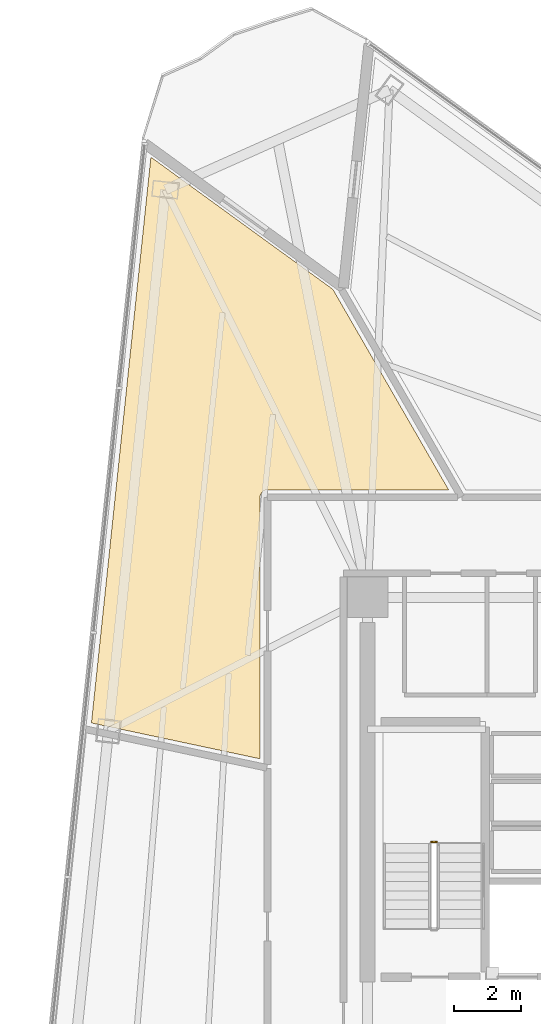
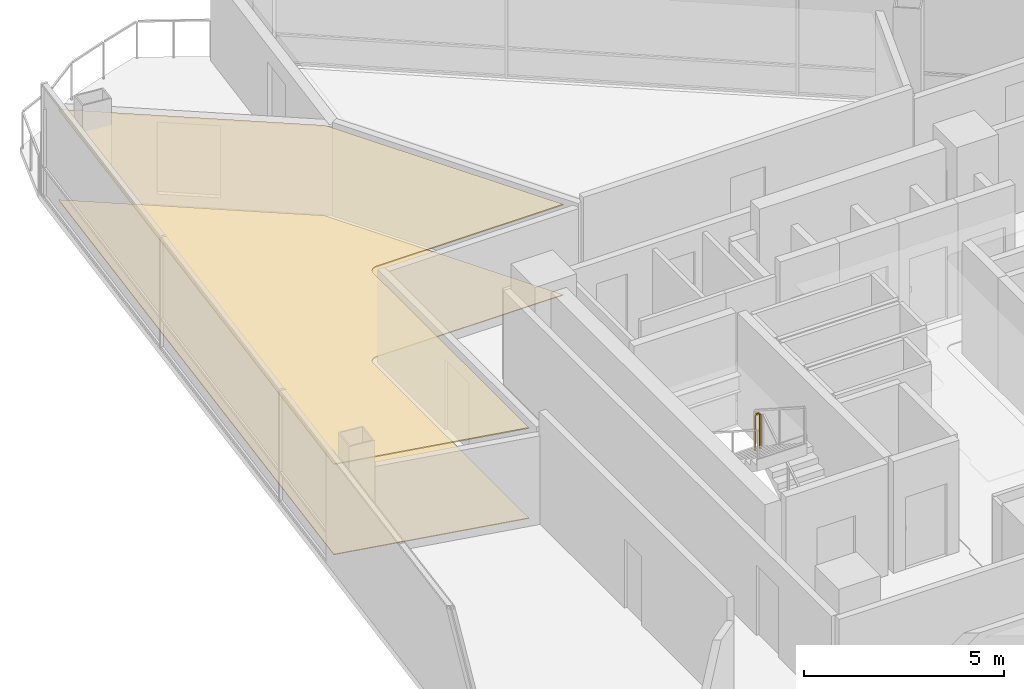
# One storey, part 17 of 19: 2 coverings, 1 railing.
"""IFC4 building model written with IfcOpenShell, lengths in metres."""

from ifc_helpers import new_model, si_unit, direction, frame, origin, origin_2d, place, context, subcontext, project, spatial, polyline, rectangle, outline, extrude, material, layer, layer_set, type_object, element, save


model = new_model("IFC4")

# Units and contexts
model_context = context("Model", 3, precision=1e-05, world=origin(), true_north=direction((0.0, 1.0)))
body_context = subcontext(model_context, "Body", "Model", "MODEL_VIEW")
ifc_project = project(units=[si_unit("LENGTHUNIT", "METRE"), si_unit("AREAUNIT", "SQUARE_METRE"), si_unit("VOLUMEUNIT", "CUBIC_METRE"), si_unit("PLANEANGLEUNIT", "RADIAN"), si_unit("MASSUNIT", "GRAM", prefix="KILO")], contexts=[model_context])

# Site, building, storey
site_placement = place(None, origin())
site = spatial("IfcSite", under=ifc_project, at=site_placement, CompositionType="ELEMENT")
building_placement = place(site_placement, origin())
building = spatial("IfcBuilding", under=site, at=building_placement, Name="Tharavind Bronze Gate", CompositionType="ELEMENT")
storey_placement = place(building_placement, frame((0.0, 0.0, 116.050048828125)))
storey = spatial("IfcBuildingStorey", under=building, at=storey_placement, Name="L29", CompositionType="ELEMENT", Elevation=116.050048828125)

# Coverings
ifc_material_1 = material(Name="Perforated Bronze Acoustic Panel", Category="bronze")
ifc_layer_1 = layer(ifc_material_1, 0.044921875)
ifc_layer_set_1 = layer_set([ifc_layer_1], Name="Perforated Bronze Acoustic Panel")
covering_type_1 = type_object("IfcCoveringType", Name="ACOUSTIC BRONZE BAFFLE CEILING", PredefinedType="CEILING", material=ifc_layer_set_1)
covering_1_placement = place(storey_placement, frame((0.0, 0.0, 2.75)))
element("IfcCovering", 1, at=covering_1_placement, inside=storey, type_object=covering_type_1, Name="L29-RM-03 suspended ceiling", PredefinedType="CEILING", context=body_context, shape_type="SweptSolid", body=[
    extrude(outline(polyline([(-12.10009765625, 2.796875), (-12.10009765625, 10.579345703125), (-12.099609375, 10.590087890625), (-12.099609375, 10.5908203125), (-12.09765625, 10.6123046875), (-12.093505859375, 10.63330078125), (-12.087158203125, 10.654052734375), (-12.078857421875, 10.674072265625), (-12.068603515625, 10.693115234375), (-12.056640625, 10.7109375), (-12.04296875, 10.727783203125), (-12.027587890625, 10.742919921875), (-12.010986328125, 10.756591796875), (-11.9931640625, 10.768798828125), (-11.97412109375, 10.77880859375), (-11.9541015625, 10.787109375), (-11.933349609375, 10.79345703125), (-11.912353515625, 10.797607421875), (-11.890869140625, 10.7998046875), (-11.89013671875, 10.7998046875), (-11.87939453125, 10.800048828125), (-6.489501953125, 10.800048828125), (-9.93359375, 16.765380859375), (-15.3486328125, 20.69970703125), (-17.1181640625, 3.863525390625), (-12.10009765625, 2.796875)])), origin(), (0.0, 0.0, 1.0), 0.034912109375),
])
ifc_material_2 = material(Name="Engineered Oak & Carpet Tile", Category="wood")
ifc_layer_2 = layer(ifc_material_2, 0.02490234375)
ifc_layer_set_2 = layer_set([ifc_layer_2], Name="Engineered Oak & Carpet Tile")
covering_type_2 = type_object("IfcCoveringType", Name="ENGINEERED TIMBER FLOORING", PredefinedType="FLOORING", material=ifc_layer_set_2)
covering_2_placement = place(storey_placement, origin())
element("IfcCovering", 2, at=covering_2_placement, inside=storey, type_object=covering_type_2, Name="L29-RM-03 floor finish", PredefinedType="FLOORING", context=body_context, shape_type="SweptSolid", body=[
    extrude(outline(polyline([(-12.10009765625, 2.796875), (-12.10009765625, 10.579345703125), (-12.099609375, 10.590087890625), (-12.099609375, 10.5908203125), (-12.09765625, 10.6123046875), (-12.093505859375, 10.63330078125), (-12.087158203125, 10.654052734375), (-12.078857421875, 10.674072265625), (-12.068603515625, 10.693115234375), (-12.056640625, 10.7109375), (-12.04296875, 10.727783203125), (-12.027587890625, 10.742919921875), (-12.010986328125, 10.756591796875), (-11.9931640625, 10.768798828125), (-11.97412109375, 10.77880859375), (-11.9541015625, 10.787109375), (-11.933349609375, 10.79345703125), (-11.912353515625, 10.797607421875), (-11.890869140625, 10.7998046875), (-11.89013671875, 10.7998046875), (-11.87939453125, 10.800048828125), (-6.489501953125, 10.800048828125), (-9.93359375, 16.765380859375), (-15.3486328125, 20.69970703125), (-17.1181640625, 3.863525390625), (-12.10009765625, 2.796875)])), origin(), (0.0, 0.0, 1.0), 0.02490234375),
])

# Railing
ifc_material_3 = material(Name="Brushed Bronze Alloy", Category="metal")
railing_type = type_object("IfcRailingType", Name="STAIR WELL GUARD RAILING 1120", PredefinedType="GUARDRAIL", material=ifc_material_3)
railing_placement = place(storey_placement, frame((-6.85009765625, 0.320068359375, 1.800048828125)))
element("IfcRailing", 3, at=railing_placement, inside=storey, type_object=railing_type, Name="L29 ST1 stair guard 2", PredefinedType="GUARDRAIL", context=body_context, shape_type="SweptSolid", body=[
    extrude(rectangle(XDim=0.048095703125, YDim=0.048095703125, at=origin_2d()), frame((-0.031982421875, 0.0, 1.09619140625), z_axis=(-1.0, 0.0, 0.0), x_axis=(0.0, -1.0, 0.0)), (0.0, 0.0, 1.0), 0.0859375),
    extrude(rectangle(XDim=0.0400390625, YDim=0.0400390625, at=origin_2d()), origin(), (0.0, 0.0, 1.0), 1.068115234375),
    extrude(rectangle(XDim=0.0400390625, YDim=0.0400390625, at=origin_2d()), frame((-0.14990234375, 0.0, 0.0)), (0.0, 0.0, 1.0), 1.068115234375),
])

save(model, "model.ifc")
